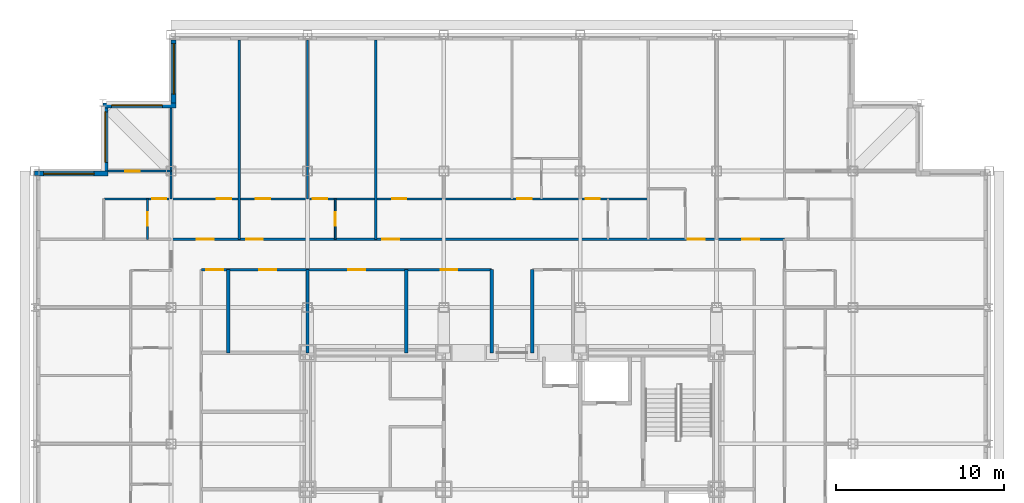
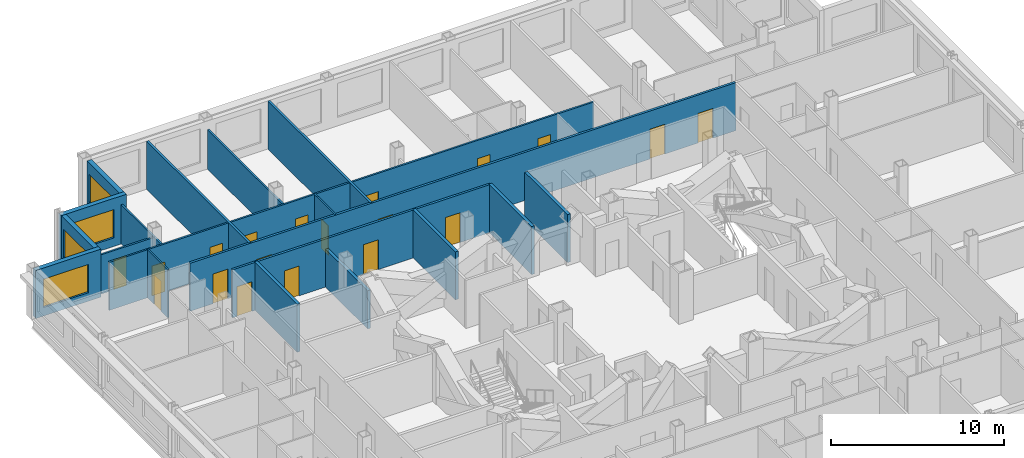
# One storey, part 9 of 12: 19 doors, 19 walls, 4 windows, 23 openings.
"""IFC4 building model written with IfcOpenShell, lengths in metres."""

from ifc_helpers import new_model, si_unit, direction, frame, frame_2d, origin, place, context, subcontext, project, spatial, rectangle, extrude, material, layer, layer_set, type_object, element, fill, save


model = new_model("IFC4")

# Units and contexts
model_context = context("Model", 3, precision=1e-05, world=origin(), true_north=direction((0.0, 1.0)))
body_context = subcontext(model_context, "Body", "Model", "MODEL_VIEW")
ifc_project = project(units=[si_unit("LENGTHUNIT", "METRE"), si_unit("AREAUNIT", "SQUARE_METRE"), si_unit("VOLUMEUNIT", "CUBIC_METRE"), si_unit("PLANEANGLEUNIT", "RADIAN"), si_unit("MASSUNIT", "GRAM", prefix="KILO")], contexts=[model_context])

# Site, building, storey
site_placement = place(None, origin())
site = spatial("IfcSite", under=ifc_project, at=site_placement, CompositionType="ELEMENT")
building_placement = place(site_placement, origin())
building = spatial("IfcBuilding", under=site, at=building_placement, Name="Kopane Lantern Tower", CompositionType="ELEMENT")
storey_placement = place(building_placement, frame((0.0, 0.0, 206.39990234375)))
storey = spatial("IfcBuildingStorey", under=building, at=storey_placement, Name="L53", CompositionType="ELEMENT", Elevation=206.39990234375)

# Wall
ifc_material_1 = material(Name="Gypsum board on steel studs", Category="steel")
ifc_layer_1 = layer(ifc_material_1, 0.1201171875)
ifc_layer_set_1 = layer_set([ifc_layer_1], Name="APARTMENT INTERNAL WALL 120")
wall_type_1 = type_object("IfcWallType", Name="APARTMENT INTERNAL WALL 120", PredefinedType="PARTITIONING", material=ifc_layer_set_1)
wall_1_placement = place(storey_placement, frame((16.199951171875, 49.64990234375, 0.0), z_axis=(0.0, 0.0, 1.0), x_axis=(0.0, 1.0, 0.0)))
element("IfcWall", 1, at=wall_1_placement, inside=storey, type_object=wall_type_1, Name="Apartment Internal Wall 120 L53", PredefinedType="PARTITIONING", context=body_context, shape_type="SweptSolid", body=[
    extrude(rectangle(XDim=9.4501953125, YDim=0.1201171875, at=frame_2d((4.72509765625, 0.0))), origin(), (0.0, 0.0, 1.0), 2.77783203125),
])

# Wall, openings, doors
wall_2_placement = place(storey_placement, frame((4.10009765625, 49.64990234375, 0.0), z_axis=(0.0, 0.0, 1.0), x_axis=(1.0, 0.0, 0.0)))
wall_2 = element("IfcWall", 2, at=wall_2_placement, inside=storey, type_object=wall_type_1, Name="Apartment Internal Wall 120 L53", PredefinedType="PARTITIONING", context=body_context, shape_type="SweptSolid", body=[
    extrude(rectangle(XDim=32.349853515625, YDim=0.1201171875, at=frame_2d((16.1748046875, 0.0))), origin(), (0.0, 0.0, 1.0), 3.39013671875),
])
opening_1_placement = place(wall_2_placement, frame((9.02490234375, 0.0, 0.0)))
opening_1 = element("IfcOpeningElement", 3, at=opening_1_placement, cuts=wall_2, Name="Opening L53-031", PredefinedType="OPENING", context=body_context, shape_type="SweptSolid", body=[
    extrude(rectangle(XDim=0.85009765625, YDim=2.10009765625, at=frame_2d((0.425048828125, 1.050048828125))), frame((0.0, 0.070068359375, 0.0), z_axis=(0.0, -1.0, 0.0), x_axis=(1.0, 0.0, 0.0)), (0.0, 0.0, 1.0), 0.14013671875),
])
opening_2_placement = place(wall_2_placement, frame((12.425048828125, 0.0, 0.0)))
opening_2 = element("IfcOpeningElement", 4, at=opening_2_placement, cuts=wall_2, Name="Opening L53-032", PredefinedType="OPENING", context=body_context, shape_type="SweptSolid", body=[
    extrude(rectangle(XDim=0.85009765625, YDim=2.10009765625, at=frame_2d((0.425048828125, 1.050048828125))), frame((0.0, 0.070068359375, 0.0), z_axis=(0.0, -1.0, 0.0), x_axis=(1.0, 0.0, 0.0)), (0.0, 0.0, 1.0), 0.14013671875),
])
opening_3_placement = place(wall_2_placement, frame((17.125, 0.0, 0.0)))
opening_3 = element("IfcOpeningElement", 5, at=opening_3_placement, cuts=wall_2, Name="Opening L53-035", PredefinedType="OPENING", context=body_context, shape_type="SweptSolid", body=[
    extrude(rectangle(XDim=0.85009765625, YDim=2.10009765625, at=frame_2d((0.425048828125, 1.050048828125))), frame((0.0, 0.070068359375, 0.0), z_axis=(0.0, -1.0, 0.0), x_axis=(1.0, 0.0, 0.0)), (0.0, 0.0, 1.0), 0.14013671875),
])
opening_4_placement = place(wall_2_placement, frame((24.574951171875, 0.0, 0.0)))
opening_4 = element("IfcOpeningElement", 6, at=opening_4_placement, cuts=wall_2, Name="Opening L53-037", PredefinedType="OPENING", context=body_context, shape_type="SweptSolid", body=[
    extrude(rectangle(XDim=0.85009765625, YDim=2.10009765625, at=frame_2d((0.425048828125, 1.050048828125))), frame((0.0, 0.070068359375, 0.0), z_axis=(0.0, -1.0, 0.0), x_axis=(1.0, 0.0, 0.0)), (0.0, 0.0, 1.0), 0.14013671875),
])
opening_5_placement = place(wall_2_placement, frame((28.625, 0.0, 0.0)))
opening_5 = element("IfcOpeningElement", 7, at=opening_5_placement, cuts=wall_2, Name="Opening L53-038", PredefinedType="OPENING", context=body_context, shape_type="SweptSolid", body=[
    extrude(rectangle(XDim=0.85009765625, YDim=2.10009765625, at=frame_2d((0.425048828125, 1.050048828125))), frame((0.0, 0.070068359375, 0.0), z_axis=(0.0, -1.0, 0.0), x_axis=(1.0, 0.0, 0.0)), (0.0, 0.0, 1.0), 0.14013671875),
])
opening_6_placement = place(wall_2_placement, frame((6.72509765625, 0.0, 0.0)))
opening_6 = element("IfcOpeningElement", 8, at=opening_6_placement, cuts=wall_2, Name="Opening L53-076", PredefinedType="OPENING", context=body_context, shape_type="SweptSolid", body=[
    extrude(rectangle(XDim=0.85009765625, YDim=2.10009765625, at=frame_2d((0.425048828125, 1.050048828125))), frame((0.0, 0.070068359375, 0.0), z_axis=(0.0, -1.0, 0.0), x_axis=(1.0, 0.0, 0.0)), (0.0, 0.0, 1.0), 0.14013671875),
])
opening_7_placement = place(wall_2_placement, frame((2.875, 0.0, 0.0)))
opening_7 = element("IfcOpeningElement", 9, at=opening_7_placement, cuts=wall_2, Name="Opening L53-078", PredefinedType="OPENING", context=body_context, shape_type="SweptSolid", body=[
    extrude(rectangle(XDim=0.85009765625, YDim=2.10009765625, at=frame_2d((0.425048828125, 1.050048828125))), frame((0.0, 0.070068359375, 0.0), z_axis=(0.0, -1.0, 0.0), x_axis=(1.0, 0.0, 0.0)), (0.0, 0.0, 1.0), 0.14013671875),
])
ifc_material_2 = material(Name="Timber door set", Category="wood")
door_type_1 = type_object("IfcDoorType", Name="DOOR D4 850x2100", OperationType="SINGLE_SWING_LEFT", PredefinedType="DOOR", material=ifc_material_2)
door_1_placement = place(opening_1_placement, origin())
door_1 = element("IfcDoor", 10, at=door_1_placement, inside=storey, type_object=door_type_1, Name="Door L53-031", OperationType="SINGLE_SWING_RIGHT", OverallHeight=2.10009765625, OverallWidth=0.85009765625, PredefinedType="DOOR", context=body_context, shape_type="SweptSolid", body=[
    extrude(rectangle(XDim=0.85009765625, YDim=2.10009765625, at=frame_2d((0.425048828125, 1.050048828125))), frame((0.0, 0.02490234375, 0.0), z_axis=(0.0, -1.0, 0.0), x_axis=(1.0, 0.0, 0.0)), (0.0, 0.0, 1.0), 0.050048828125),
])
fill(opening_1, door_1)
door_2_placement = place(opening_2_placement, origin())
door_2 = element("IfcDoor", 11, at=door_2_placement, inside=storey, type_object=door_type_1, Name="Door L53-032", OperationType="SINGLE_SWING_LEFT", OverallHeight=2.10009765625, OverallWidth=0.85009765625, PredefinedType="DOOR", context=body_context, shape_type="SweptSolid", body=[
    extrude(rectangle(XDim=0.85009765625, YDim=2.10009765625, at=frame_2d((0.425048828125, 1.050048828125))), frame((0.0, 0.02490234375, 0.0), z_axis=(0.0, -1.0, 0.0), x_axis=(1.0, 0.0, 0.0)), (0.0, 0.0, 1.0), 0.050048828125),
])
fill(opening_2, door_2)
door_3_placement = place(opening_3_placement, origin())
door_3 = element("IfcDoor", 12, at=door_3_placement, inside=storey, type_object=door_type_1, Name="Door L53-035", OperationType="SINGLE_SWING_RIGHT", OverallHeight=2.10009765625, OverallWidth=0.85009765625, PredefinedType="DOOR", context=body_context, shape_type="SweptSolid", body=[
    extrude(rectangle(XDim=0.85009765625, YDim=2.10009765625, at=frame_2d((0.425048828125, 1.050048828125))), frame((0.0, 0.02490234375, 0.0), z_axis=(0.0, -1.0, 0.0), x_axis=(1.0, 0.0, 0.0)), (0.0, 0.0, 1.0), 0.050048828125),
])
fill(opening_3, door_3)
door_4_placement = place(opening_4_placement, origin())
door_4 = element("IfcDoor", 13, at=door_4_placement, inside=storey, type_object=door_type_1, Name="Door L53-037", OperationType="SINGLE_SWING_LEFT", OverallHeight=2.10009765625, OverallWidth=0.85009765625, PredefinedType="DOOR", context=body_context, shape_type="SweptSolid", body=[
    extrude(rectangle(XDim=0.85009765625, YDim=2.10009765625, at=frame_2d((0.425048828125, 1.050048828125))), frame((0.0, 0.02490234375, 0.0), z_axis=(0.0, -1.0, 0.0), x_axis=(1.0, 0.0, 0.0)), (0.0, 0.0, 1.0), 0.050048828125),
])
fill(opening_4, door_4)
door_5_placement = place(opening_5_placement, origin())
door_5 = element("IfcDoor", 14, at=door_5_placement, inside=storey, type_object=door_type_1, Name="Door L53-038", OperationType="SINGLE_SWING_LEFT", OverallHeight=2.10009765625, OverallWidth=0.85009765625, PredefinedType="DOOR", context=body_context, shape_type="SweptSolid", body=[
    extrude(rectangle(XDim=0.85009765625, YDim=2.10009765625, at=frame_2d((0.425048828125, 1.050048828125))), frame((0.0, 0.02490234375, 0.0), z_axis=(0.0, -1.0, 0.0), x_axis=(1.0, 0.0, 0.0)), (0.0, 0.0, 1.0), 0.050048828125),
])
fill(opening_5, door_5)
door_6_placement = place(opening_6_placement, origin())
door_6 = element("IfcDoor", 15, at=door_6_placement, inside=storey, type_object=door_type_1, Name="Door L53-076", OperationType="SINGLE_SWING_LEFT", OverallHeight=2.10009765625, OverallWidth=0.85009765625, PredefinedType="DOOR", context=body_context, shape_type="SweptSolid", body=[
    extrude(rectangle(XDim=0.85009765625, YDim=2.10009765625, at=frame_2d((0.425048828125, 1.050048828125))), frame((0.0, 0.02490234375, 0.0), z_axis=(0.0, -1.0, 0.0), x_axis=(1.0, 0.0, 0.0)), (0.0, 0.0, 1.0), 0.050048828125),
])
fill(opening_6, door_6)
door_7_placement = place(opening_7_placement, origin())
door_7 = element("IfcDoor", 16, at=door_7_placement, inside=storey, type_object=door_type_1, Name="Door L53-078", OperationType="SINGLE_SWING_RIGHT", OverallHeight=2.10009765625, OverallWidth=0.85009765625, PredefinedType="DOOR", context=body_context, shape_type="SweptSolid", body=[
    extrude(rectangle(XDim=0.85009765625, YDim=2.10009765625, at=frame_2d((0.425048828125, 1.050048828125))), frame((0.0, 0.02490234375, 0.0), z_axis=(0.0, -1.0, 0.0), x_axis=(1.0, 0.0, 0.0)), (0.0, 0.0, 1.0), 0.050048828125),
])
fill(opening_7, door_7)

# Wall
wall_3_placement = place(storey_placement, frame((8.10009765625, 49.64990234375, 0.0), z_axis=(0.0, 0.0, 1.0), x_axis=(0.0, 1.0, 0.0)))
element("IfcWall", 17, at=wall_3_placement, inside=storey, type_object=wall_type_1, Name="Apartment Internal Wall 120 L53", PredefinedType="PARTITIONING", context=body_context, shape_type="SweptSolid", body=[
    extrude(rectangle(XDim=5.400146484375, YDim=0.1201171875, at=frame_2d((2.7001953125, 0.0))), origin(), (0.0, 0.0, 1.0), 2.77783203125),
])

# Wall, opening, door
wall_4_placement = place(storey_placement, frame((8.10009765625, 51.300048828125, 0.0), z_axis=(0.0, 0.0, 1.0), x_axis=(-1.0, 0.0, 0.0)))
wall_4 = element("IfcWall", 18, at=wall_4_placement, inside=storey, type_object=wall_type_1, Name="Apartment Internal Wall 120 L53", PredefinedType="PARTITIONING", context=body_context, shape_type="SweptSolid", body=[
    extrude(rectangle(XDim=3.75, YDim=0.1201171875, at=frame_2d((1.875, 0.0))), origin(), (0.0, 0.0, 1.0), 2.77783203125),
])
opening_8_placement = place(wall_4_placement, frame((1.875, 0.0, 0.0)))
opening_8 = element("IfcOpeningElement", 19, at=opening_8_placement, cuts=wall_4, Name="Opening L53-079", PredefinedType="OPENING", context=body_context, shape_type="SweptSolid", body=[
    extrude(rectangle(XDim=0.85009765625, YDim=2.10009765625, at=frame_2d((0.425048828125, 1.050048828125))), frame((0.0, 0.070068359375, 0.0), z_axis=(0.0, -1.0, 0.0), x_axis=(1.0, 0.0, 0.0)), (0.0, 0.0, 1.0), 0.14013671875),
])
door_8_placement = place(opening_8_placement, origin())
door_8 = element("IfcDoor", 20, at=door_8_placement, inside=storey, type_object=door_type_1, Name="Door L53-079", OperationType="SINGLE_SWING_LEFT", OverallHeight=2.10009765625, OverallWidth=0.85009765625, PredefinedType="DOOR", context=body_context, shape_type="SweptSolid", body=[
    extrude(rectangle(XDim=0.85009765625, YDim=2.10009765625, at=frame_2d((0.425048828125, 1.050048828125))), frame((0.0, 0.02490234375, 0.0), z_axis=(0.0, -1.0, 0.0), x_axis=(1.0, 0.0, 0.0)), (0.0, 0.0, 1.0), 0.050048828125),
])
fill(opening_8, door_8)

ifc_material_3 = material(Name="Moisture-resistant board on steel studs", Category="steel")
ifc_layer_2 = layer(ifc_material_3, 0.10009765625)
ifc_layer_set_2 = layer_set([ifc_layer_2], Name="BATHROOM WALL 100")
wall_type_2 = type_object("IfcWallType", Name="BATHROOM WALL 100", PredefinedType="PARTITIONING", material=ifc_layer_set_2)
wall_5_placement = place(storey_placement, frame((17.85009765625, 47.25, 0.0), z_axis=(0.0, 0.0, 1.0), x_axis=(0.0, 1.0, 0.0)))
wall_5 = element("IfcWall", 21, at=wall_5_placement, inside=storey, type_object=wall_type_2, Name="Bathroom Wall 100 L53", PredefinedType="PARTITIONING", context=body_context, shape_type="SweptSolid", body=[
    extrude(rectangle(XDim=2.39990234375, YDim=0.10009765625, at=frame_2d((1.199951171875, 0.0))), origin(), (0.0, 0.0, 1.0), 3.39013671875),
])
opening_9_placement = place(wall_5_placement, frame((0.800048828125, 0.0, 0.0)))
opening_9 = element("IfcOpeningElement", 22, at=opening_9_placement, cuts=wall_5, Name="Opening L53-029", PredefinedType="OPENING", context=body_context, shape_type="SweptSolid", body=[
    extrude(rectangle(XDim=0.800048828125, YDim=2.10009765625, at=frame_2d((0.39990234375, 1.050048828125))), frame((0.0, 0.06005859375, 0.0), z_axis=(0.0, -1.0, 0.0), x_axis=(1.0, 0.0, 0.0)), (0.0, 0.0, 1.0), 0.1201171875),
])
ifc_material_4 = material(Name="Timber door set", Category="wood")
door_type_2 = type_object("IfcDoorType", Name="DOOR D2 800x2100", OperationType="SINGLE_SWING_LEFT", PredefinedType="DOOR", material=ifc_material_4)
door_9_placement = place(opening_9_placement, origin())
door_9 = element("IfcDoor", 23, at=door_9_placement, inside=storey, type_object=door_type_2, Name="Door L53-029", OperationType="SINGLE_SWING_RIGHT", OverallHeight=2.10009765625, OverallWidth=0.800048828125, PredefinedType="DOOR", context=body_context, shape_type="SweptSolid", body=[
    extrude(rectangle(XDim=0.800048828125, YDim=2.10009765625, at=frame_2d((0.39990234375, 1.050048828125))), frame((0.0, 0.02490234375, 0.0), z_axis=(0.0, -1.0, 0.0), x_axis=(1.0, 0.0, 0.0)), (0.0, 0.0, 1.0), 0.050048828125),
])
fill(opening_9, door_9)

wall_6_placement = place(storey_placement, frame((6.699951171875, 47.25, 0.0), z_axis=(0.0, 0.0, 1.0), x_axis=(0.0, 1.0, 0.0)))
wall_6 = element("IfcWall", 24, at=wall_6_placement, inside=storey, type_object=wall_type_2, Name="Bathroom Wall 100 L53", PredefinedType="PARTITIONING", context=body_context, shape_type="SweptSolid", body=[
    extrude(rectangle(XDim=2.39990234375, YDim=0.10009765625, at=frame_2d((1.199951171875, 0.0))), origin(), (0.0, 0.0, 1.0), 3.39013671875),
])
opening_10_placement = place(wall_6_placement, frame((0.800048828125, 0.0, 0.0)))
opening_10 = element("IfcOpeningElement", 25, at=opening_10_placement, cuts=wall_6, Name="Opening L53-077", PredefinedType="OPENING", context=body_context, shape_type="SweptSolid", body=[
    extrude(rectangle(XDim=0.800048828125, YDim=2.10009765625, at=frame_2d((0.39990234375, 1.050048828125))), frame((0.0, 0.06005859375, 0.0), z_axis=(0.0, -1.0, 0.0), x_axis=(1.0, 0.0, 0.0)), (0.0, 0.0, 1.0), 0.1201171875),
])
door_10_placement = place(opening_10_placement, origin())
door_10 = element("IfcDoor", 26, at=door_10_placement, inside=storey, type_object=door_type_2, Name="Door L53-077", OperationType="SINGLE_SWING_LEFT", OverallHeight=2.10009765625, OverallWidth=0.800048828125, PredefinedType="DOOR", context=body_context, shape_type="SweptSolid", body=[
    extrude(rectangle(XDim=0.800048828125, YDim=2.10009765625, at=frame_2d((0.39990234375, 1.050048828125))), frame((0.0, 0.02490234375, 0.0), z_axis=(0.0, -1.0, 0.0), x_axis=(1.0, 0.0, 0.0)), (0.0, 0.0, 1.0), 0.050048828125),
])
fill(opening_10, door_10)

# Wall, openings, doors
ifc_material_5 = material(Name="Gypsum board on steel studs", Category="steel")
ifc_layer_3 = layer(ifc_material_5, 0.14990234375)
ifc_layer_set_3 = layer_set([ifc_layer_3], Name="CORRIDOR WALL 150 EI 60")
wall_type_3 = type_object("IfcWallType", Name="CORRIDOR WALL 150 EI 60", PredefinedType="PARTITIONING", material=ifc_layer_set_3)
wall_7_placement = place(storey_placement, frame((8.10009765625, 47.25, 0.0), z_axis=(0.0, 0.0, 1.0), x_axis=(1.0, 0.0, 0.0)))
wall_7 = element("IfcWall", 27, at=wall_7_placement, inside=storey, type_object=wall_type_3, Name="Corridor Wall 150 Ei 60 L53", PredefinedType="PARTITIONING", context=body_context, shape_type="SweptSolid", body=[
    extrude(rectangle(XDim=36.449951171875, YDim=0.14990234375, at=frame_2d((18.22509765625, 0.0))), origin(), (0.0, 0.0, 1.0), 3.39013671875),
])
opening_11_placement = place(wall_7_placement, frame((4.449951171875, 0.0, 0.0)))
opening_11 = element("IfcOpeningElement", 28, at=opening_11_placement, cuts=wall_7, Name="Opening L53-030", PredefinedType="OPENING", context=body_context, shape_type="SweptSolid", body=[
    extrude(rectangle(XDim=1.0, YDim=2.10009765625, at=frame_2d((0.5, 1.050048828125))), frame((0.0, 0.0849609375, 0.0), z_axis=(0.0, -1.0, 0.0), x_axis=(1.0, 0.0, 0.0)), (0.0, 0.0, 1.0), 0.169921875),
])
opening_12_placement = place(wall_7_placement, frame((12.550048828125, 0.0, 0.0)))
opening_12 = element("IfcOpeningElement", 29, at=opening_12_placement, cuts=wall_7, Name="Opening L53-034", PredefinedType="OPENING", context=body_context, shape_type="SweptSolid", body=[
    extrude(rectangle(XDim=1.0, YDim=2.10009765625, at=frame_2d((0.5, 1.050048828125))), frame((0.0, 0.0849609375, 0.0), z_axis=(0.0, -1.0, 0.0), x_axis=(1.0, 0.0, 0.0)), (0.0, 0.0, 1.0), 0.169921875),
])
opening_13_placement = place(wall_7_placement, frame((30.699951171875, 0.0, 0.0)))
opening_13 = element("IfcOpeningElement", 30, at=opening_13_placement, cuts=wall_7, Name="Opening L53-040", PredefinedType="OPENING", context=body_context, shape_type="SweptSolid", body=[
    extrude(rectangle(XDim=1.0, YDim=2.10009765625, at=frame_2d((0.5, 1.050048828125))), frame((0.0, 0.0849609375, 0.0), z_axis=(0.0, -1.0, 0.0), x_axis=(1.0, 0.0, 0.0)), (0.0, 0.0, 1.0), 0.169921875),
])
opening_14_placement = place(wall_7_placement, frame((33.925048828125, 0.0, 0.0)))
opening_14 = element("IfcOpeningElement", 31, at=opening_14_placement, cuts=wall_7, Name="Opening L53-070", PredefinedType="OPENING", context=body_context, shape_type="SweptSolid", body=[
    extrude(rectangle(XDim=1.0, YDim=2.10009765625, at=frame_2d((0.5, 1.050048828125))), frame((0.0, 0.0849609375, 0.0), z_axis=(0.0, -1.0, 0.0), x_axis=(1.0, 0.0, 0.0)), (0.0, 0.0, 1.0), 0.169921875),
])
opening_15_placement = place(wall_7_placement, frame((1.52490234375, 0.0, 0.0)))
opening_15 = element("IfcOpeningElement", 32, at=opening_15_placement, cuts=wall_7, Name="Opening L53-075", PredefinedType="OPENING", context=body_context, shape_type="SweptSolid", body=[
    extrude(rectangle(XDim=1.0, YDim=2.10009765625, at=frame_2d((0.5, 1.050048828125))), frame((0.0, 0.0849609375, 0.0), z_axis=(0.0, -1.0, 0.0), x_axis=(1.0, 0.0, 0.0)), (0.0, 0.0, 1.0), 0.169921875),
])
ifc_material_6 = material(Name="Steel door set", Category="steel")
door_type_3 = type_object("IfcDoorType", Name="DOOR D3 1000x2100 FD30S", OperationType="SINGLE_SWING_LEFT", PredefinedType="DOOR", material=ifc_material_6)
door_11_placement = place(opening_11_placement, origin())
door_11 = element("IfcDoor", 33, at=door_11_placement, inside=storey, type_object=door_type_3, Name="Door L53-030", OperationType="SINGLE_SWING_LEFT", OverallHeight=2.10009765625, OverallWidth=1.0, PredefinedType="DOOR", context=body_context, shape_type="SweptSolid", body=[
    extrude(rectangle(XDim=1.0, YDim=2.10009765625, at=frame_2d((0.5, 1.050048828125))), frame((0.0, 0.02490234375, 0.0), z_axis=(0.0, -1.0, 0.0), x_axis=(1.0, 0.0, 0.0)), (0.0, 0.0, 1.0), 0.050048828125),
])
fill(opening_11, door_11)
door_12_placement = place(opening_12_placement, origin())
door_12 = element("IfcDoor", 34, at=door_12_placement, inside=storey, type_object=door_type_3, Name="Door L53-034", OperationType="SINGLE_SWING_LEFT", OverallHeight=2.10009765625, OverallWidth=1.0, PredefinedType="DOOR", context=body_context, shape_type="SweptSolid", body=[
    extrude(rectangle(XDim=1.0, YDim=2.10009765625, at=frame_2d((0.5, 1.050048828125))), frame((0.0, 0.02490234375, 0.0), z_axis=(0.0, -1.0, 0.0), x_axis=(1.0, 0.0, 0.0)), (0.0, 0.0, 1.0), 0.050048828125),
])
fill(opening_12, door_12)
door_13_placement = place(opening_13_placement, origin())
door_13 = element("IfcDoor", 35, at=door_13_placement, inside=storey, type_object=door_type_3, Name="Door L53-040", OperationType="SINGLE_SWING_LEFT", OverallHeight=2.10009765625, OverallWidth=1.0, PredefinedType="DOOR", context=body_context, shape_type="SweptSolid", body=[
    extrude(rectangle(XDim=1.0, YDim=2.10009765625, at=frame_2d((0.5, 1.050048828125))), frame((0.0, 0.02490234375, 0.0), z_axis=(0.0, -1.0, 0.0), x_axis=(1.0, 0.0, 0.0)), (0.0, 0.0, 1.0), 0.050048828125),
])
fill(opening_13, door_13)
door_14_placement = place(opening_14_placement, origin())
door_14 = element("IfcDoor", 36, at=door_14_placement, inside=storey, type_object=door_type_3, Name="Door L53-070", OperationType="SINGLE_SWING_LEFT", OverallHeight=2.10009765625, OverallWidth=1.0, PredefinedType="DOOR", context=body_context, shape_type="SweptSolid", body=[
    extrude(rectangle(XDim=1.0, YDim=2.10009765625, at=frame_2d((0.5, 1.050048828125))), frame((0.0, 0.02490234375, 0.0), z_axis=(0.0, -1.0, 0.0), x_axis=(1.0, 0.0, 0.0)), (0.0, 0.0, 1.0), 0.050048828125),
])
fill(opening_14, door_14)
door_15_placement = place(opening_15_placement, origin())
door_15 = element("IfcDoor", 37, at=door_15_placement, inside=storey, type_object=door_type_3, Name="Door L53-075", OperationType="SINGLE_SWING_RIGHT", OverallHeight=2.10009765625, OverallWidth=1.0, PredefinedType="DOOR", context=body_context, shape_type="SweptSolid", body=[
    extrude(rectangle(XDim=1.0, YDim=2.10009765625, at=frame_2d((0.5, 1.050048828125))), frame((0.0, 0.02490234375, 0.0), z_axis=(0.0, -1.0, 0.0), x_axis=(1.0, 0.0, 0.0)), (0.0, 0.0, 1.0), 0.050048828125),
])
fill(opening_15, door_15)

wall_8_placement = place(storey_placement, frame((27.139892578125, 45.449951171875, 0.0), z_axis=(0.0, 0.0, 1.0), x_axis=(-1.0, 0.0, 0.0)))
wall_8 = element("IfcWall", 38, at=wall_8_placement, inside=storey, type_object=wall_type_3, Name="Corridor Wall 150 Ei 60 L53", PredefinedType="PARTITIONING", context=body_context, shape_type="SweptSolid", body=[
    extrude(rectangle(XDim=17.239990234375, YDim=0.14990234375, at=frame_2d((8.6201171875, 0.0))), origin(), (0.0, 0.0, 1.0), 3.39013671875),
])
opening_16_placement = place(wall_8_placement, frame((15.93994140625, 0.0, 0.0)))
opening_16 = element("IfcOpeningElement", 39, at=opening_16_placement, cuts=wall_8, Name="Opening L53-011", PredefinedType="OPENING", context=body_context, shape_type="SweptSolid", body=[
    extrude(rectangle(XDim=1.0, YDim=2.10009765625, at=frame_2d((0.5, 1.050048828125))), frame((0.0, 0.0849609375, 0.0), z_axis=(0.0, -1.0, 0.0), x_axis=(1.0, 0.0, 0.0)), (0.0, 0.0, 1.0), 0.169921875),
])
opening_17_placement = place(wall_8_placement, frame((12.7900390625, 0.0, 0.0)))
opening_17 = element("IfcOpeningElement", 40, at=opening_17_placement, cuts=wall_8, Name="Opening L53-012", PredefinedType="OPENING", context=body_context, shape_type="SweptSolid", body=[
    extrude(rectangle(XDim=1.0, YDim=2.10009765625, at=frame_2d((0.5, 1.050048828125))), frame((0.0, 0.0849609375, 0.0), z_axis=(0.0, -1.0, 0.0), x_axis=(1.0, 0.0, 0.0)), (0.0, 0.0, 1.0), 0.169921875),
])
opening_18_placement = place(wall_8_placement, frame((7.5107421875, 0.0, 0.0)))
opening_18 = element("IfcOpeningElement", 41, at=opening_18_placement, cuts=wall_8, Name="Opening L53-013", PredefinedType="OPENING", context=body_context, shape_type="SweptSolid", body=[
    extrude(rectangle(XDim=1.0, YDim=2.10009765625, at=frame_2d((0.5, 1.050048828125))), frame((0.0, 0.0849609375, 0.0), z_axis=(0.0, -1.0, 0.0), x_axis=(1.0, 0.0, 0.0)), (0.0, 0.0, 1.0), 0.169921875),
])
opening_19_placement = place(wall_8_placement, frame((2.03564453125, 0.0, 0.0)))
opening_19 = element("IfcOpeningElement", 42, at=opening_19_placement, cuts=wall_8, Name="Opening L53-014", PredefinedType="OPENING", context=body_context, shape_type="SweptSolid", body=[
    extrude(rectangle(XDim=1.0, YDim=2.10009765625, at=frame_2d((0.5, 1.050048828125))), frame((0.0, 0.0849609375, 0.0), z_axis=(0.0, -1.0, 0.0), x_axis=(1.0, 0.0, 0.0)), (0.0, 0.0, 1.0), 0.169921875),
])
ifc_material_7 = material(Name="Steel door set", Category="steel")
door_type_4 = type_object("IfcDoorType", Name="DOOR D5 1000x2100 FD60", OperationType="SINGLE_SWING_LEFT", PredefinedType="DOOR", material=ifc_material_7)
door_16_placement = place(opening_16_placement, origin())
door_16 = element("IfcDoor", 43, at=door_16_placement, inside=storey, type_object=door_type_4, Name="Door L53-011", OperationType="SINGLE_SWING_RIGHT", OverallHeight=2.10009765625, OverallWidth=1.0, PredefinedType="DOOR", context=body_context, shape_type="SweptSolid", body=[
    extrude(rectangle(XDim=1.0, YDim=2.10009765625, at=frame_2d((0.5, 1.050048828125))), frame((0.0, 0.02490234375, 0.0), z_axis=(0.0, -1.0, 0.0), x_axis=(1.0, 0.0, 0.0)), (0.0, 0.0, 1.0), 0.050048828125),
])
fill(opening_16, door_16)
door_17_placement = place(opening_17_placement, origin())
door_17 = element("IfcDoor", 44, at=door_17_placement, inside=storey, type_object=door_type_4, Name="Door L53-012", OperationType="SINGLE_SWING_LEFT", OverallHeight=2.10009765625, OverallWidth=1.0, PredefinedType="DOOR", context=body_context, shape_type="SweptSolid", body=[
    extrude(rectangle(XDim=1.0, YDim=2.10009765625, at=frame_2d((0.5, 1.050048828125))), frame((0.0, 0.02490234375, 0.0), z_axis=(0.0, -1.0, 0.0), x_axis=(1.0, 0.0, 0.0)), (0.0, 0.0, 1.0), 0.050048828125),
])
fill(opening_17, door_17)
door_18_placement = place(opening_18_placement, origin())
door_18 = element("IfcDoor", 45, at=door_18_placement, inside=storey, type_object=door_type_4, Name="Door L53-013", OperationType="SINGLE_SWING_RIGHT", OverallHeight=2.10009765625, OverallWidth=1.0, PredefinedType="DOOR", context=body_context, shape_type="SweptSolid", body=[
    extrude(rectangle(XDim=1.0, YDim=2.10009765625, at=frame_2d((0.5, 1.050048828125))), frame((0.0, 0.02490234375, 0.0), z_axis=(0.0, -1.0, 0.0), x_axis=(1.0, 0.0, 0.0)), (0.0, 0.0, 1.0), 0.050048828125),
])
fill(opening_18, door_18)
door_19_placement = place(opening_19_placement, origin())
door_19 = element("IfcDoor", 46, at=door_19_placement, inside=storey, type_object=door_type_4, Name="Door L53-014", OperationType="SINGLE_SWING_LEFT", OverallHeight=2.10009765625, OverallWidth=1.0, PredefinedType="DOOR", context=body_context, shape_type="SweptSolid", body=[
    extrude(rectangle(XDim=1.0, YDim=2.10009765625, at=frame_2d((0.5, 1.050048828125))), frame((0.0, 0.02490234375, 0.0), z_axis=(0.0, -1.0, 0.0), x_axis=(1.0, 0.0, 0.0)), (0.0, 0.0, 1.0), 0.050048828125),
])
fill(opening_19, door_19)

# Walls
ifc_material_8 = material(Name="Gypsum board on steel studs", Category="steel")
ifc_layer_4 = layer(ifc_material_8, 0.14990234375)
ifc_layer_set_4 = layer_set([ifc_layer_4], Name="DEMISING WALL 150 EI 60")
wall_type_4 = type_object("IfcWallType", Name="DEMISING WALL 150 EI 60", PredefinedType="PARTITIONING", material=ifc_layer_set_4)
for number, where, z_axis, x_axis, name in (
    (47, (20.25, 47.25, 0.0), (0.0, 0.0, 1.0), (0.0, 1.0, 0.0), "Demising Wall 150 Ei 60 L53"),
    (48, (12.14990234375, 47.25, 0.0), (0.0, 0.0, 1.0), (0.0, 1.0, 0.0), "Demising Wall 150 Ei 60 L53"),
):
    element("IfcWall", number, at=place(storey_placement, frame(where, z_axis=z_axis, x_axis=x_axis)), inside=storey, type_object=wall_type_4, Name=name, PredefinedType="PARTITIONING", context=body_context, shape_type="SweptSolid", body=[
        extrude(rectangle(XDim=11.85009765625, YDim=0.14990234375, at=frame_2d((5.925048828125, 0.0))), origin(), (0.0, 0.0, 1.0), 3.39013671875),
    ])

# Wall, opening, window
ifc_material_9 = material(Name="Terracotta rainscreen on light steel framing", Category="masonry")
ifc_layer_5 = layer(ifc_material_9, 0.300048828125)
ifc_layer_set_5 = layer_set([ifc_layer_5], Name="EXTERNAL WALL EW1 300 TERRACOTTA")
wall_type_5 = type_object("IfcWallType", Name="EXTERNAL WALL EW1 300 TERRACOTTA", PredefinedType="SOLIDWALL", material=ifc_layer_set_5)
wall_9_placement = place(storey_placement, frame((8.25, 59.10009765625, 0.0), z_axis=(0.0, 0.0, 1.0), x_axis=(0.0, -1.0, 0.0)))
wall_9 = element("IfcWall", 49, at=wall_9_placement, inside=storey, type_object=wall_type_5, Name="External wall W L53", PredefinedType="SOLIDWALL", context=body_context, shape_type="SweptSolid", body=[
    extrude(rectangle(XDim=3.75, YDim=0.300048828125, at=frame_2d((1.875, 0.0))), origin(), (0.0, 0.0, 1.0), 3.39013671875),
])
opening_20_placement = place(wall_9_placement, frame((0.22509765625, 0.0, 0.60009765625)))
opening_20 = element("IfcOpeningElement", 50, at=opening_20_placement, cuts=wall_9, Name="Opening WR300200", PredefinedType="OPENING", context=body_context, shape_type="SweptSolid", body=[
    extrude(rectangle(XDim=3.0, YDim=2.0, at=frame_2d((1.5, 1.0))), frame((0.0, 0.159912109375, 0.0), z_axis=(0.0, -1.0, 0.0), x_axis=(1.0, 0.0, 0.0)), (0.0, 0.0, 1.0), 0.320068359375),
])
ifc_material_10 = material(Name="Aluminium and clear glass", Category="aluminium")
window_type = type_object("IfcWindowType", Name="RIBBON WINDOW WR300200 3000x2000", PartitioningType="SINGLE_PANEL", PredefinedType="WINDOW", material=ifc_material_10)
window_1_placement = place(opening_20_placement, origin())
window_1 = element("IfcWindow", 51, at=window_1_placement, inside=storey, type_object=window_type, Name="Window W L53", OverallHeight=2.0, OverallWidth=3.0, PartitioningType="SINGLE_PANEL", PredefinedType="WINDOW", context=body_context, shape_type="SweptSolid", body=[
    extrude(rectangle(XDim=3.0, YDim=2.0, at=frame_2d((1.5, 1.0))), frame((0.0, 0.030029296875, 0.0), z_axis=(0.0, -1.0, 0.0), x_axis=(1.0, 0.0, 0.0)), (0.0, 0.0, 1.0), 0.06005859375),
])
fill(opening_20, window_1)

wall_10_placement = place(storey_placement, frame((8.39990234375, 55.199951171875, 0.0), z_axis=(0.0, 0.0, 1.0), x_axis=(-1.0, 0.0, 0.0)))
wall_10 = element("IfcWall", 52, at=wall_10_placement, inside=storey, type_object=wall_type_5, Name="External wall N L53", PredefinedType="SOLIDWALL", context=body_context, shape_type="SweptSolid", body=[
    extrude(rectangle(XDim=4.349853515625, YDim=0.300048828125, at=frame_2d((2.1748046875, 0.0))), origin(), (0.0, 0.0, 1.0), 3.39013671875),
])
opening_21_placement = place(wall_10_placement, frame((0.824951171875, 0.0, 0.60009765625)))
opening_21 = element("IfcOpeningElement", 53, at=opening_21_placement, cuts=wall_10, Name="Opening WR300200", PredefinedType="OPENING", context=body_context, shape_type="SweptSolid", body=[
    extrude(rectangle(XDim=3.0, YDim=2.0, at=frame_2d((1.5, 1.0))), frame((0.0, 0.159912109375, 0.0), z_axis=(0.0, -1.0, 0.0), x_axis=(1.0, 0.0, 0.0)), (0.0, 0.0, 1.0), 0.320068359375),
])
window_2_placement = place(opening_21_placement, origin())
window_2 = element("IfcWindow", 54, at=window_2_placement, inside=storey, type_object=window_type, Name="Window N L53", OverallHeight=2.0, OverallWidth=3.0, PartitioningType="SINGLE_PANEL", PredefinedType="WINDOW", context=body_context, shape_type="SweptSolid", body=[
    extrude(rectangle(XDim=3.0, YDim=2.0, at=frame_2d((1.5, 1.0))), frame((0.0, 0.030029296875, 0.0), z_axis=(0.0, -1.0, 0.0), x_axis=(1.0, 0.0, 0.0)), (0.0, 0.0, 1.0), 0.06005859375),
])
fill(opening_21, window_2)

wall_11_placement = place(storey_placement, frame((4.199951171875, 55.050048828125, 0.0), z_axis=(0.0, 0.0, 1.0), x_axis=(0.0, -1.0, 0.0)))
wall_11 = element("IfcWall", 55, at=wall_11_placement, inside=storey, type_object=wall_type_5, Name="External wall W L53", PredefinedType="SOLIDWALL", context=body_context, shape_type="SweptSolid", body=[
    extrude(rectangle(XDim=3.75, YDim=0.300048828125, at=frame_2d((1.875, 0.0))), origin(), (0.0, 0.0, 1.0), 3.39013671875),
])
opening_22_placement = place(wall_11_placement, frame((0.22509765625, 0.0, 0.60009765625)))
opening_22 = element("IfcOpeningElement", 56, at=opening_22_placement, cuts=wall_11, Name="Opening WR300200", PredefinedType="OPENING", context=body_context, shape_type="SweptSolid", body=[
    extrude(rectangle(XDim=3.0, YDim=2.0, at=frame_2d((1.5, 1.0))), frame((0.0, 0.159912109375, 0.0), z_axis=(0.0, -1.0, 0.0), x_axis=(1.0, 0.0, 0.0)), (0.0, 0.0, 1.0), 0.320068359375),
])
window_3_placement = place(opening_22_placement, origin())
window_3 = element("IfcWindow", 57, at=window_3_placement, inside=storey, type_object=window_type, Name="Window W L53", OverallHeight=2.0, OverallWidth=3.0, PartitioningType="SINGLE_PANEL", PredefinedType="WINDOW", context=body_context, shape_type="SweptSolid", body=[
    extrude(rectangle(XDim=3.0, YDim=2.0, at=frame_2d((1.5, 1.0))), frame((0.0, 0.030029296875, 0.0), z_axis=(0.0, -1.0, 0.0), x_axis=(1.0, 0.0, 0.0)), (0.0, 0.0, 1.0), 0.06005859375),
])
fill(opening_22, window_3)

wall_12_placement = place(storey_placement, frame((4.35009765625, 51.14990234375, 0.0), z_axis=(0.0, 0.0, 1.0), x_axis=(-1.0, 0.0, 0.0)))
wall_12 = element("IfcWall", 58, at=wall_12_placement, inside=storey, type_object=wall_type_5, Name="External wall N L53", PredefinedType="SOLIDWALL", context=body_context, shape_type="SweptSolid", body=[
    extrude(rectangle(XDim=4.35009765625, YDim=0.300048828125, at=frame_2d((2.175048828125, 0.0))), origin(), (0.0, 0.0, 1.0), 3.39013671875),
])
opening_23_placement = place(wall_12_placement, frame((0.824951171875, 0.0, 0.60009765625)))
opening_23 = element("IfcOpeningElement", 59, at=opening_23_placement, cuts=wall_12, Name="Opening WR300200", PredefinedType="OPENING", context=body_context, shape_type="SweptSolid", body=[
    extrude(rectangle(XDim=3.0, YDim=2.0, at=frame_2d((1.5, 1.0))), frame((0.0, 0.159912109375, 0.0), z_axis=(0.0, -1.0, 0.0), x_axis=(1.0, 0.0, 0.0)), (0.0, 0.0, 1.0), 0.320068359375),
])
window_4_placement = place(opening_23_placement, origin())
window_4 = element("IfcWindow", 60, at=window_4_placement, inside=storey, type_object=window_type, Name="Window N L53", OverallHeight=2.0, OverallWidth=3.0, PartitioningType="SINGLE_PANEL", PredefinedType="WINDOW", context=body_context, shape_type="SweptSolid", body=[
    extrude(rectangle(XDim=3.0, YDim=2.0, at=frame_2d((1.5, 1.0))), frame((0.0, 0.030029296875, 0.0), z_axis=(0.0, -1.0, 0.0), x_axis=(1.0, 0.0, 0.0)), (0.0, 0.0, 1.0), 0.06005859375),
])
fill(opening_23, window_4)

# Walls
ifc_material_11 = material(Name="Concrete masonry", Category="masonry")
ifc_layer_6 = layer(ifc_material_11, 0.199951171875)
ifc_layer_set_6 = layer_set([ifc_layer_6], Name="PLANT ROOM WALL 200 EI 120")
wall_type_6 = type_object("IfcWallType", Name="PLANT ROOM WALL 200 EI 120", PredefinedType="SOLIDWALL", material=ifc_layer_set_6)
wall_13_placement = place(storey_placement, frame((16.199951171875, 40.5, 0.0), z_axis=(0.0, 0.0, 1.0), x_axis=(0.0, 1.0, 0.0)))
element("IfcWall", 61, at=wall_13_placement, inside=storey, type_object=wall_type_6, Name="Plant Room Wall 200 Ei 120 L53", PredefinedType="SOLIDWALL", context=body_context, shape_type="SweptSolid", body=[
    extrude(rectangle(XDim=4.949951171875, YDim=0.199951171875, at=frame_2d((2.47509765625, 0.0))), origin(), (0.0, 0.0, 1.0), 2.690185546875),
])
for number, where, z_axis, x_axis, name in (
    (62, (11.5, 45.449951171875, 0.0), (0.0, 0.0, 1.0), (0.0, -1.0, 0.0), "Plant Room Wall 200 Ei 120 L53"),
    (63, (22.05859375, 45.449951171875, 0.0), (0.0, 0.0, 1.0), (0.0, -1.0, 0.0), "Plant Room Wall 200 Ei 120 L53"),
    (64, (27.14990234375, 40.5, 0.0), (0.0, 0.0, 1.0), (0.0, 1.0, 0.0), "Plant Room Wall 200 Ei 120 L53"),
    (65, (29.550048828125, 40.5, 0.0), (0.0, 0.0, 1.0), (0.0, 1.0, 0.0), "Plant Room Wall 200 Ei 120 L53"),
):
    element("IfcWall", number, at=place(storey_placement, frame(where, z_axis=z_axis, x_axis=x_axis)), inside=storey, type_object=wall_type_6, Name=name, PredefinedType="SOLIDWALL", context=body_context, shape_type="SweptSolid", body=[
        extrude(rectangle(XDim=4.949951171875, YDim=0.199951171875, at=frame_2d((2.47509765625, 0.0))), origin(), (0.0, 0.0, 1.0), 3.39013671875),
    ])

save(model, "model.ifc")
